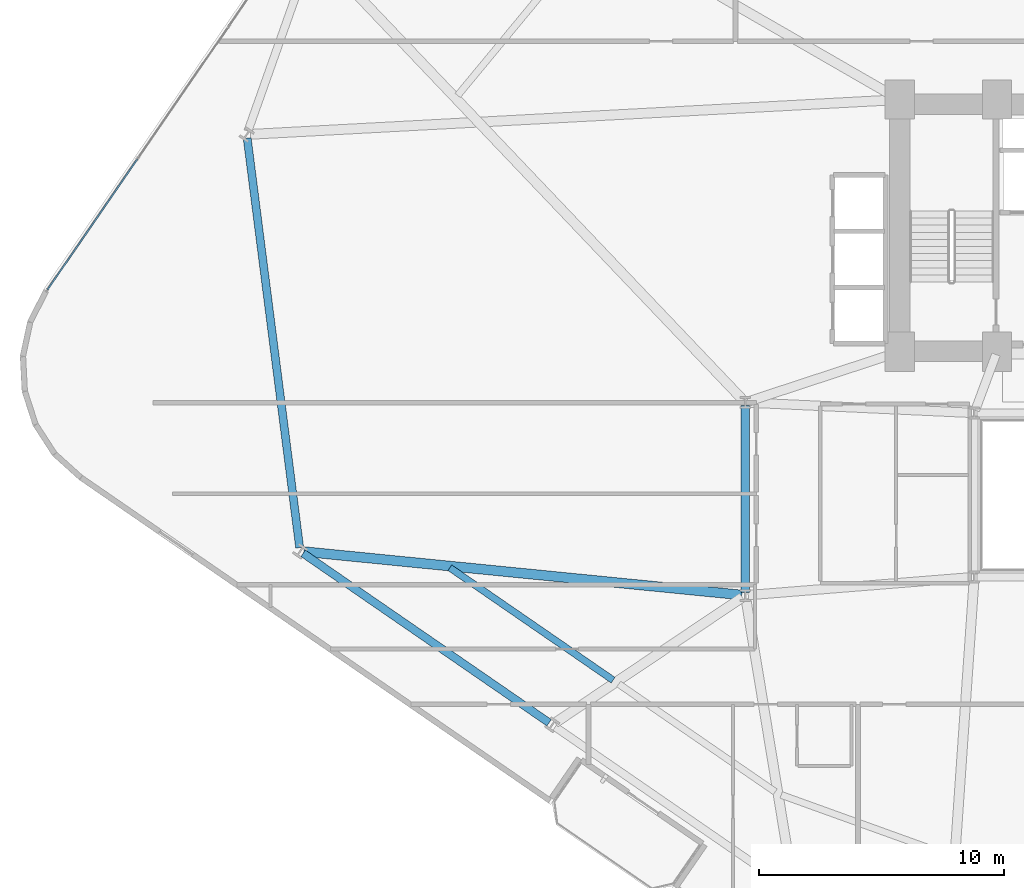
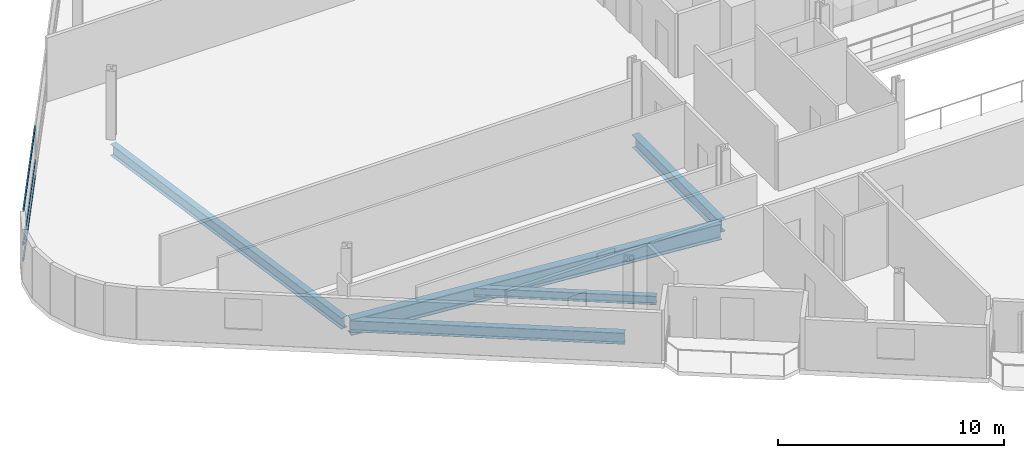
# One storey, part 3 of 24: 5 beams, 3 members, 1 element without a shape of its own.
"""IFC4 building model written with IfcOpenShell, lengths in metres."""

from ifc_helpers import new_model, si_unit, direction, frame, origin, origin_2d, place, context, subcontext, project, spatial, hollow_rectangle, i_section, extrude, material, layer, layer_set, material_profile, profile_set, type_object, element, aggregate, save


model = new_model("IFC4")

# Units and contexts
model_context = context("Model", 3, precision=1e-05, world=origin(), true_north=direction((0.0, 1.0)))
body_context = subcontext(model_context, "Body", "Model", "MODEL_VIEW")
ifc_project = project(units=[si_unit("LENGTHUNIT", "METRE"), si_unit("AREAUNIT", "SQUARE_METRE"), si_unit("VOLUMEUNIT", "CUBIC_METRE"), si_unit("PLANEANGLEUNIT", "RADIAN"), si_unit("MASSUNIT", "GRAM", prefix="KILO")], contexts=[model_context])

# Site, building, storey
site_placement = place(None, origin())
site = spatial("IfcSite", under=ifc_project, at=site_placement, CompositionType="ELEMENT")
building_placement = place(site_placement, origin())
building = spatial("IfcBuilding", under=site, at=building_placement, Name="Varnelok Gate Tower", CompositionType="ELEMENT")
storey_placement = place(building_placement, frame((0.0, 0.0, 38.10009765625)))
storey = spatial("IfcBuildingStorey", under=building, at=storey_placement, Name="L08", CompositionType="ELEMENT", Elevation=38.10009765625)

# Beams
ifc_material_1 = material(Name="Structural Steel ASTM A992 Grade 50", Category="steel")
ifc_material_profile_1 = material_profile(ifc_material_1, i_section(OverallWidth=0.280029296875, OverallDepth=0.462890625, WebThickness=0.0107421875, FlangeThickness=0.017333984375, FilletRadius=0.014892578125, at=origin_2d()), Name="W18X76")
ifc_profile_set_1 = profile_set([ifc_material_profile_1], Name="Structural Steel ASTM A992 Grade 50")
beam_type_1 = type_object("IfcBeamType", Name="BM-JST-W18X76", PredefinedType="JOIST", material=ifc_profile_set_1)
beam_1_placement = place(storey_placement, frame((12.3310546875, 19.928466796875, -0.481689453125), z_axis=(0.823532961972, -0.567268420191, 0.0), x_axis=(0.567268420191, 0.823532961972, 0.0)))
element("IfcBeam", 1, at=beam_1_placement, inside=storey, type_object=beam_type_1, Name="L08 Sector Floor Joist 1", PredefinedType="JOIST", context=body_context, shape_type="SweptSolid", body=[
    extrude(i_section(OverallWidth=0.280029296875, OverallDepth=0.462890625, WebThickness=0.0107421875, FlangeThickness=0.017333984375, FilletRadius=0.014892578125, at=origin_2d()), origin(), (0.0, 0.0, 1.0), 8.094970703125),
])
ifc_material_profile_2 = material_profile(ifc_material_1, i_section(OverallWidth=0.35498046875, OverallDepth=0.696044921875, WebThickness=0.015380859375, FlangeThickness=0.02490234375, FilletRadius=0.02001953125, at=origin_2d()), Name="W27X146")
ifc_profile_set_2 = profile_set([ifc_material_profile_2], Name="Structural Steel ASTM A992 Grade 50")
beam_type_2 = type_object("IfcBeamType", Name="BM-PRI-W27X146", PredefinedType="BEAM", material=ifc_profile_set_2)
beam_2_placement = place(storey_placement, frame((24.39990234375, 18.919921875, -0.59814453125), z_axis=(0.0, 1.0, 0.0), x_axis=(-1.0, 0.0, 0.0)))
element("IfcBeam", 2, at=beam_2_placement, inside=storey, type_object=beam_type_2, Name="L08 Core-Atrium Spine Beam 16", PredefinedType="BEAM", context=body_context, shape_type="SweptSolid", body=[
    extrude(i_section(OverallWidth=0.35498046875, OverallDepth=0.696044921875, WebThickness=0.015380859375, FlangeThickness=0.02490234375, FilletRadius=0.02001953125, at=origin_2d()), origin(), (0.0, 0.0, 1.0), 7.64013671875),
])
ifc_material_profile_3 = material_profile(ifc_material_1, i_section(OverallWidth=0.39892578125, OverallDepth=0.85498046875, WebThickness=0.018310546875, FlangeThickness=0.029296875, FilletRadius=0.02392578125, at=origin_2d()), Name="W33X201")
ifc_profile_set_3 = profile_set([ifc_material_profile_3], Name="Structural Steel ASTM A992 Grade 50")
beam_type_3 = type_object("IfcBeamType", Name="BM-PRI-W33X201", PredefinedType="BEAM", material=ifc_profile_set_3)
beam_3_placement = place(storey_placement, frame((24.250732421875, 18.814697265625, -0.677490234375), z_axis=(-0.995122218733, 0.098649732815, 0.0), x_axis=(-0.098649732815, -0.995122218733, 0.0)))
element("IfcBeam", 3, at=beam_3_placement, inside=storey, type_object=beam_type_3, Name="L08 Radial Floor Girder 1", PredefinedType="BEAM", context=body_context, shape_type="SweptSolid", body=[
    extrude(i_section(OverallWidth=0.39892578125, OverallDepth=0.85498046875, WebThickness=0.018310546875, FlangeThickness=0.029296875, FilletRadius=0.02392578125, at=origin_2d()), origin(), (0.0, 0.0, 1.0), 17.974609375),
])
ifc_material_profile_4 = material_profile(ifc_material_1, i_section(OverallWidth=0.323974609375, OverallDepth=0.611083984375, WebThickness=0.0126953125, FlangeThickness=0.01904296875, FilletRadius=0.01806640625, at=origin_2d()), Name="W24X104")
ifc_profile_set_4 = profile_set([ifc_material_profile_4], Name="Structural Steel ASTM A992 Grade 50")
beam_type_4 = type_object("IfcBeamType", Name="BM-SPN-W24X104", PredefinedType="SPANDREL", material=ifc_profile_set_4)
beam_4_placement = place(storey_placement, frame((6.337890625, 20.517578125, -0.5556640625), z_axis=(0.823540632156, -0.567257284826, 0.0), x_axis=(0.567257284826, 0.823540632156, 0.0)))
element("IfcBeam", 4, at=beam_4_placement, inside=storey, type_object=beam_type_4, Name="L08 Perimeter Spandrel Beam 1", PredefinedType="SPANDREL", context=body_context, shape_type="SweptSolid", body=[
    extrude(i_section(OverallWidth=0.323974609375, OverallDepth=0.611083984375, WebThickness=0.0126953125, FlangeThickness=0.01904296875, FilletRadius=0.01806640625, at=origin_2d()), origin(), (0.0, 0.0, 1.0), 12.2001953125),
])
beam_5_placement = place(storey_placement, frame((4.05224609375, 37.47509765625, -0.5556640625), z_axis=(0.127106601297, -0.991889062298, 0.0), x_axis=(0.991889062298, 0.127106601297, 0.0)))
element("IfcBeam", 5, at=beam_5_placement, inside=storey, type_object=beam_type_4, Name="L08 Perimeter Spandrel Beam 16", PredefinedType="SPANDREL", context=body_context, shape_type="SweptSolid", body=[
    extrude(i_section(OverallWidth=0.323974609375, OverallDepth=0.611083984375, WebThickness=0.0126953125, FlangeThickness=0.01904296875, FilletRadius=0.01806640625, at=origin_2d()), origin(), (0.0, 0.0, 1.0), 16.8603515625),
])

# Curtain wall, members
ifc_material_2 = material(Name="Anodized Aluminum Alloy 6063-T6", Category="aluminium")
ifc_layer = layer(ifc_material_2, 0.179931640625)
ifc_layer_set = layer_set([ifc_layer], Name="Anodized Aluminum Alloy 6063-T6")
curtain_wall_type = type_object("IfcCurtainWallType", Name="CW3-HOTEL-VISION", PredefinedType="USERDEFINED", material=ifc_layer_set)
curtain_wall_placement = place(storey_placement, origin())
curtain_wall = element("IfcCurtainWall", 6, at=curtain_wall_placement, inside=storey, type_object=curtain_wall_type, Name="L08 West End Vision Curtain Wall", ObjectType="UNITISED CURTAIN WALL", PredefinedType="USERDEFINED")
ifc_material_profile_5 = material_profile(ifc_material_2, hollow_rectangle(XDim=0.06494140625, YDim=0.159912109375, WallThickness=0.00390625, at=origin_2d()), Name="ALU160X65X4")
ifc_profile_set_5 = profile_set([ifc_material_profile_5], Name="Anodized Aluminum Alloy 6063-T6")
member_type = type_object("IfcMemberType", Name="CW-TRAN-160", PredefinedType="USERDEFINED", material=ifc_profile_set_5)
member_1_placement = place(storey_placement, frame((-4.10546875, 31.287353515625, 0.032470703125), z_axis=(0.567255754851, 0.823541686006, 0.0), x_axis=(-0.823541686006, 0.567255754851, 0.0)))
member_1 = element("IfcMember", 7, at=member_1_placement, type_object=member_type, Name="CW3 transom 1.1", ObjectType="TRANSOM", PredefinedType="USERDEFINED", context=body_context, shape_type="SweptSolid", body=[
    extrude(hollow_rectangle(XDim=0.06494140625, YDim=0.159912109375, WallThickness=0.00390625, at=origin_2d()), origin(), (0.0, 0.0, 1.0), 6.46923828125),
])
member_2_placement = place(storey_placement, frame((-4.10546875, 31.287353515625, 0.89990234375), z_axis=(0.567255754851, 0.823541686006, 0.0), x_axis=(-0.823541686006, 0.567255754851, 0.0)))
member_2 = element("IfcMember", 8, at=member_2_placement, type_object=member_type, Name="CW3 transom 1.2", ObjectType="TRANSOM", PredefinedType="USERDEFINED", context=body_context, shape_type="SweptSolid", body=[
    extrude(hollow_rectangle(XDim=0.06494140625, YDim=0.159912109375, WallThickness=0.00390625, at=origin_2d()), origin(), (0.0, 0.0, 1.0), 6.46923828125),
])
member_3_placement = place(storey_placement, frame((-4.10546875, 31.287353515625, 2.697509765625), z_axis=(0.567255754851, 0.823541686006, 0.0), x_axis=(-0.823541686006, 0.567255754851, 0.0)))
member_3 = element("IfcMember", 9, at=member_3_placement, type_object=member_type, Name="CW3 transom 1.3", ObjectType="TRANSOM", PredefinedType="USERDEFINED", context=body_context, shape_type="SweptSolid", body=[
    extrude(hollow_rectangle(XDim=0.06494140625, YDim=0.159912109375, WallThickness=0.00390625, at=origin_2d()), origin(), (0.0, 0.0, 1.0), 6.46923828125),
])
aggregate(curtain_wall, [member_1, member_2, member_3])

save(model, "model.ifc")
